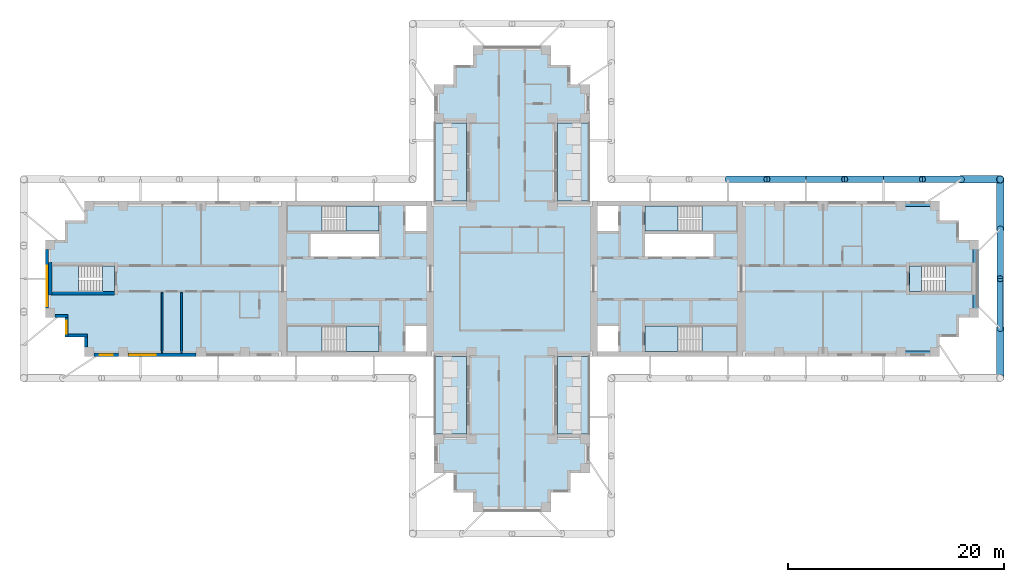
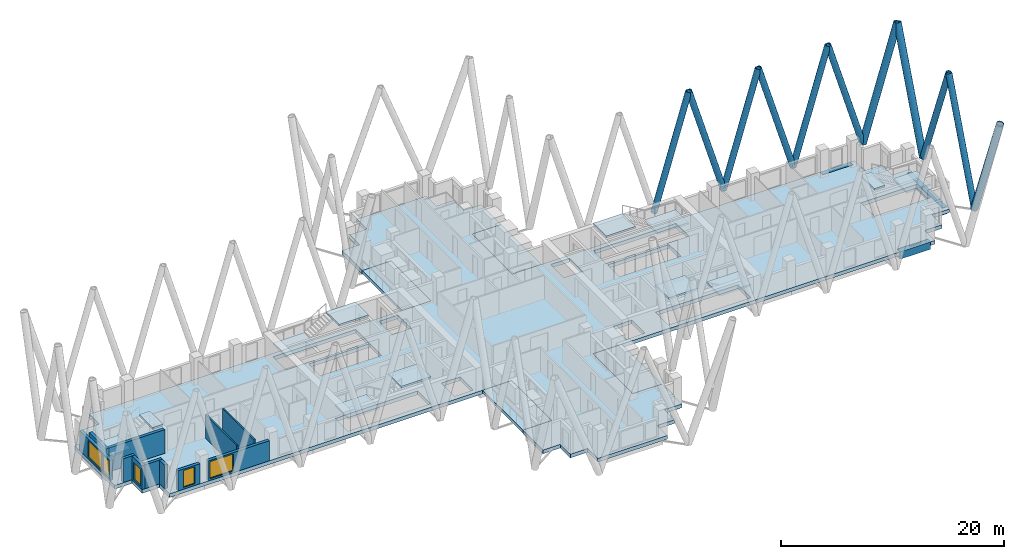
# One storey, part 2 of 12: 17 slabs, 11 members, 11 walls, 5 windows, 3 beams, 5 openings, 6 elements without a shape of their own.
"""IFC4 building model written with IfcOpenShell, lengths in metres."""

from ifc_helpers import new_model, si_unit, direction, frame, frame_2d, origin, origin_2d, place, context, subcontext, project, spatial, polyline, rectangle, hollow_circle, outline, extrude, material, layer, layer_set, material_profile, profile_set, type_object, element, fill, aggregate, save


model = new_model("IFC4")

# Units and contexts
model_context = context("Model", 3, precision=1e-05, world=origin(), true_north=direction((0.0, 1.0)))
body_context = subcontext(model_context, "Body", "Model", "MODEL_VIEW")
ifc_project = project(units=[si_unit("LENGTHUNIT", "METRE"), si_unit("AREAUNIT", "SQUARE_METRE"), si_unit("VOLUMEUNIT", "CUBIC_METRE"), si_unit("PLANEANGLEUNIT", "RADIAN"), si_unit("MASSUNIT", "GRAM", prefix="KILO")], contexts=[model_context])

# Site, building, storey
site_placement = place(None, origin())
site = spatial("IfcSite", under=ifc_project, at=site_placement, CompositionType="ELEMENT")
building_placement = place(site_placement, origin())
building = spatial("IfcBuilding", under=site, at=building_placement, Name="Fustian Cross Tower", CompositionType="ELEMENT")
storey_placement = place(building_placement, frame((0.0, 0.0, 141.300048828125)))
storey = spatial("IfcBuildingStorey", under=building, at=storey_placement, Name="L44", CompositionType="ELEMENT", Elevation=141.300048828125)

# Members
ifc_material_1 = material(Name="Steel S355", Category="steel")
ifc_material_profile_1 = material_profile(ifc_material_1, hollow_circle(Radius=0.3046875, WallThickness=0.02490234375, at=origin_2d()), Name="CHS 610x25")
ifc_profile_set_1 = profile_set([ifc_material_profile_1], Name="Steel S355")
member_type_1 = type_object("IfcMemberType", Name="DIAGRID DIAGONAL CHS 610x25", PredefinedType="BRACE", material=ifc_profile_set_1)
for number, where, z_axis, x_axis, name in (
    (1, (45.199951171875, -4.60009765625, 0.0), (0.0, 0.3579426369, 0.933743577589), (-1.0, 0.0, 0.0), "Diagrid diagonal E-end 02"),
    (2, (45.199951171875, 4.60009765625, 0.0), (0.0, -0.3579426369, 0.933743577589), (1.0, 0.0, 0.0), "Diagrid diagonal E-end 03"),
):
    element("IfcMember", number, at=place(storey_placement, frame(where, z_axis=z_axis, x_axis=x_axis)), inside=storey, type_object=member_type_1, Name=name, PredefinedType="BRACE", context=body_context, shape_type="SweptSolid", body=[
        extrude(hollow_circle(Radius=0.3046875, WallThickness=0.02490234375, at=origin_2d()), origin(), (0.0, 0.0, 1.0), 12.8515625),
    ])
for number, where, z_axis, x_axis, name in (
    (3, (41.60009765625, 9.199951171875, 0.0), (-0.287355036744, 0.0, 0.957824139839), (0.0, -1.0, 0.0), "Diagrid diagonal E-N 02"),
    (4, (34.39990234375, 9.199951171875, 0.0), (0.287355036744, 0.0, 0.957824139839), (0.0, 1.0, 0.0), "Diagrid diagonal E-N 03"),
    (5, (34.39990234375, 9.199951171875, 0.0), (-0.287337158709, 0.0, 0.957829503213), (0.0, -1.0, 0.0), "Diagrid diagonal E-N 04"),
    (6, (27.199951171875, 9.199951171875, 0.0), (0.287355036744, 0.0, 0.957824139839), (0.0, 1.0, 0.0), "Diagrid diagonal E-N 05"),
    (7, (27.199951171875, 9.199951171875, 0.0), (-0.287337158709, 0.0, 0.957829503213), (0.0, -1.0, 0.0), "Diagrid diagonal E-N 06"),
    (8, (20.0, 9.199951171875, 0.0), (0.287355036744, 0.0, 0.957824139839), (0.0, 1.0, 0.0), "Diagrid diagonal E-N 07"),
):
    element("IfcMember", number, at=place(storey_placement, frame(where, z_axis=z_axis, x_axis=x_axis)), inside=storey, type_object=member_type_1, Name=name, PredefinedType="BRACE", context=body_context, shape_type="SweptSolid", body=[
        extrude(hollow_circle(Radius=0.3046875, WallThickness=0.02490234375, at=origin_2d()), origin(), (0.0, 0.0, 1.0), 12.5283203125),
    ])
ifc_material_2 = material(Name="Steel S355", Category="steel")
ifc_material_profile_2 = material_profile(ifc_material_2, hollow_circle(Radius=0.355712890625, WallThickness=0.031982421875, at=origin_2d()), Name="CHS 711x32")
ifc_profile_set_2 = profile_set([ifc_material_profile_2], Name="Steel S355")
member_type_2 = type_object("IfcMemberType", Name="DIAGRID DIAGONAL CHS 711x32", PredefinedType="BRACE", material=ifc_profile_set_2)
for number, where, z_axis, x_axis, name in (
    (9, (45.199951171875, -4.60009765625, 0.0), (0.0, -0.357926073629, 0.933749926809), (1.0, 0.0, 0.0), "Diagrid diagonal E-end 01"),
    (10, (45.199951171875, 4.60009765625, 0.0), (0.0, 0.357926073629, 0.933749926809), (-1.0, 0.0, 0.0), "Diagrid diagonal E-end 04"),
):
    element("IfcMember", number, at=place(storey_placement, frame(where, z_axis=z_axis, x_axis=x_axis)), inside=storey, type_object=member_type_2, Name=name, PredefinedType="BRACE", context=body_context, shape_type="SweptSolid", body=[
        extrude(hollow_circle(Radius=0.355712890625, WallThickness=0.031982421875, at=origin_2d()), origin(), (0.0, 0.0, 1.0), 12.851318359375),
    ])
member_placement = place(storey_placement, frame((41.60009765625, 9.199951171875, 0.0), z_axis=(0.287337158709, 0.0, 0.957829503213), x_axis=(0.0, 1.0, 0.0)))
element("IfcMember", 11, at=member_placement, inside=storey, type_object=member_type_2, Name="Diagrid diagonal E-N 01", PredefinedType="BRACE", context=body_context, shape_type="SweptSolid", body=[
    extrude(hollow_circle(Radius=0.355712890625, WallThickness=0.031982421875, at=origin_2d()), origin(), (0.0, 0.0, 1.0), 12.5283203125),
])

# Beams
ifc_material_3 = material(Name="Concrete C50/60", Category="concrete")
ifc_material_profile_3 = material_profile(ifc_material_3, rectangle(XDim=0.5, YDim=0.800048828125, at=origin_2d()), Name="RC 500x800")
ifc_profile_set_3 = profile_set([ifc_material_profile_3], Name="Concrete C50/60")
beam_type = type_object("IfcBeamType", Name="EDGE BEAM RC 500x800 C50/60", PredefinedType="SPANDREL", material=ifc_profile_set_3)
beam_1_placement = place(storey_placement, frame((36.0, -6.949951171875, -0.400146484375), z_axis=(1.0, 0.0, 0.0), x_axis=(0.0, 1.0, 0.0)))
element("IfcBeam", 12, at=beam_1_placement, inside=storey, type_object=beam_type, Name="EDGE BEAM L44-04", PredefinedType="SPANDREL", context=body_context, shape_type="SweptSolid", body=[
    extrude(rectangle(XDim=0.5, YDim=0.800048828125, at=origin_2d()), origin(), (0.0, 0.0, 1.0), 3.14990234375),
])
beam_2_placement = place(storey_placement, frame((42.949951171875, -3.14990234375, -0.400146484375), z_axis=(0.0, 1.0, 0.0), x_axis=(-1.0, 0.0, 0.0)))
element("IfcBeam", 13, at=beam_2_placement, inside=storey, type_object=beam_type, Name="EDGE BEAM L44-05", PredefinedType="SPANDREL", context=body_context, shape_type="SweptSolid", body=[
    extrude(rectangle(XDim=0.5, YDim=0.800048828125, at=origin_2d()), origin(), (0.0, 0.0, 1.0), 6.2998046875),
])
beam_3_placement = place(storey_placement, frame((39.14990234375, 6.949951171875, -0.400146484375), z_axis=(-1.0, 0.0, 0.0), x_axis=(0.0, -1.0, 0.0)))
element("IfcBeam", 14, at=beam_3_placement, inside=storey, type_object=beam_type, Name="EDGE BEAM L44-06", PredefinedType="SPANDREL", context=body_context, shape_type="SweptSolid", body=[
    extrude(rectangle(XDim=0.5, YDim=0.800048828125, at=origin_2d()), origin(), (0.0, 0.0, 1.0), 3.14990234375),
])

# Slabs
ifc_material_4 = material(Name="Concrete C40/50", Category="concrete")
ifc_layer_1 = layer(ifc_material_4, 0.300048828125)
ifc_layer_set_1 = layer_set([ifc_layer_1], Name="Concrete C40/50")
slab_type_1 = type_object("IfcSlabType", Name="BS1 BALCONY SLAB 300", PredefinedType="FLOOR", material=ifc_layer_set_1)
slab_1_placement = place(storey_placement, frame((0.0, 0.0, -0.300048828125)))
element("IfcSlab", 15, at=slab_1_placement, inside=storey, type_object=slab_type_1, Name="Balcony slab", PredefinedType="FLOOR", context=body_context, shape_type="SweptSolid", body=[
    extrude(outline(polyline([(4.199951171875, 7.199951171875), (7.199951171875, 7.199951171875), (7.199951171875, 14.39990234375), (4.199951171875, 14.39990234375), (4.199951171875, 7.199951171875)])), origin(), (0.0, 0.0, 1.0), 0.300048828125),
])
slab_2_placement = place(storey_placement, frame((0.0, 0.0, -0.300048828125)))
element("IfcSlab", 16, at=slab_2_placement, inside=storey, type_object=slab_type_1, Name="Balcony slab", PredefinedType="FLOOR", context=body_context, shape_type="SweptSolid", body=[
    extrude(outline(polyline([(-7.199951171875, 7.199951171875), (-4.199951171875, 7.199951171875), (-4.199951171875, 14.39990234375), (-7.199951171875, 14.39990234375), (-7.199951171875, 7.199951171875)])), origin(), (0.0, 0.0, 1.0), 0.300048828125),
])
slab_3_placement = place(storey_placement, frame((0.0, 0.0, -0.300048828125)))
element("IfcSlab", 17, at=slab_3_placement, inside=storey, type_object=slab_type_1, Name="Balcony slab", PredefinedType="FLOOR", context=body_context, shape_type="SweptSolid", body=[
    extrude(outline(polyline([(4.199951171875, -14.39990234375), (7.199951171875, -14.39990234375), (7.199951171875, -7.199951171875), (4.199951171875, -7.199951171875), (4.199951171875, -14.39990234375)])), origin(), (0.0, 0.0, 1.0), 0.300048828125),
])
slab_4_placement = place(storey_placement, frame((0.0, 0.0, -0.300048828125)))
element("IfcSlab", 18, at=slab_4_placement, inside=storey, type_object=slab_type_1, Name="Balcony slab", PredefinedType="FLOOR", context=body_context, shape_type="SweptSolid", body=[
    extrude(outline(polyline([(-7.199951171875, -14.39990234375), (-4.199951171875, -14.39990234375), (-4.199951171875, -7.199951171875), (-7.199951171875, -7.199951171875), (-7.199951171875, -14.39990234375)])), origin(), (0.0, 0.0, 1.0), 0.300048828125),
])
ifc_material_5 = material(Name="Concrete C40/50", Category="concrete")
ifc_layer_2 = layer(ifc_material_5, 0.39990234375)
ifc_layer_set_2 = layer_set([ifc_layer_2], Name="Concrete C40/50")
slab_type_2 = type_object("IfcSlabType", Name="FLAT SLAB 400", PredefinedType="FLOOR", material=ifc_layer_set_2)
slab_5_placement = place(storey_placement, frame((0.0, 0.0, -0.400146484375)))
element("IfcSlab", 19, at=slab_5_placement, inside=storey, type_object=slab_type_2, Name="FLOOR SLAB L44-1", PredefinedType="FLOOR", context=body_context, shape_type="SweptSolid", body=[
    extrude(outline(polyline([(-5.39990234375, -18.0), (-7.199951171875, -18.0), (-7.199951171875, -14.39990234375), (-4.199951171875, -14.39990234375), (-4.199951171875, -7.199951171875), (-39.60009765625, -7.199951171875), (-39.60009765625, -5.39990234375), (-41.39990234375, -5.39990234375), (-41.39990234375, -3.60009765625), (-43.199951171875, -3.60009765625), (-43.199951171875, 3.60009765625), (-41.39990234375, 3.60009765625), (-41.39990234375, 5.39990234375), (-39.60009765625, 5.39990234375), (-39.60009765625, 7.199951171875), (-4.199951171875, 7.199951171875), (-4.199951171875, 14.39990234375), (-7.199951171875, 14.39990234375), (-7.199951171875, 18.0), (-5.39990234375, 18.0), (-5.39990234375, 19.800048828125), (-3.60009765625, 19.800048828125), (-3.60009765625, 21.60009765625), (3.60009765625, 21.60009765625), (3.60009765625, 19.800048828125), (5.39990234375, 19.800048828125), (5.39990234375, 18.0), (7.199951171875, 18.0), (7.199951171875, 14.39990234375), (4.199951171875, 14.39990234375), (4.199951171875, 7.199951171875), (39.60009765625, 7.199951171875), (39.60009765625, 5.39990234375), (41.39990234375, 5.39990234375), (41.39990234375, 3.60009765625), (43.199951171875, 3.60009765625), (43.199951171875, -3.60009765625), (41.39990234375, -3.60009765625), (41.39990234375, -5.39990234375), (39.60009765625, -5.39990234375), (39.60009765625, -7.199951171875), (4.199951171875, -7.199951171875), (4.199951171875, -14.39990234375), (7.199951171875, -14.39990234375), (7.199951171875, -18.0), (5.39990234375, -18.0), (5.39990234375, -19.800048828125), (3.60009765625, -19.800048828125), (3.60009765625, -21.60009765625), (-3.60009765625, -21.60009765625), (-3.60009765625, -19.800048828125), (-5.39990234375, -19.800048828125), (-5.39990234375, -18.0)]), holes=[polyline([(9.85009765625, 4.39990234375), (9.85009765625, 6.75), (7.89990234375, 6.75), (7.89990234375, 4.39990234375), (9.85009765625, 4.39990234375)]), polyline([(7.89990234375, -6.75), (9.85009765625, -6.75), (9.85009765625, -4.39990234375), (7.89990234375, -4.39990234375), (7.89990234375, -6.75)]), polyline([(-9.85009765625, 6.75), (-9.85009765625, 4.39990234375), (-7.89990234375, 4.39990234375), (-7.89990234375, 6.75), (-9.85009765625, 6.75)]), polyline([(-7.89990234375, -4.39990234375), (-9.85009765625, -4.39990234375), (-9.85009765625, -6.75), (-7.89990234375, -6.75), (-7.89990234375, -4.39990234375)]), polyline([(18.64990234375, 2.050048828125), (18.64990234375, 4.14990234375), (12.300048828125, 4.14990234375), (12.300048828125, 2.050048828125), (18.64990234375, 2.050048828125)]), polyline([(-18.64990234375, 2.050048828125), (-12.300048828125, 2.050048828125), (-12.300048828125, 4.14990234375), (-18.64990234375, 4.14990234375), (-18.64990234375, 2.050048828125)]), polyline([(12.300048828125, 6.699951171875), (12.300048828125, 4.39990234375), (20.85009765625, 4.39990234375), (20.85009765625, 6.699951171875), (12.300048828125, 6.699951171875)]), polyline([(20.85009765625, -4.39990234375), (12.300048828125, -4.39990234375), (12.300048828125, -6.699951171875), (20.85009765625, -6.699951171875), (20.85009765625, -4.39990234375)]), polyline([(-12.300048828125, 4.39990234375), (-12.300048828125, 6.699951171875), (-20.85009765625, 6.699951171875), (-20.85009765625, 4.39990234375), (-12.300048828125, 4.39990234375)]), polyline([(-20.85009765625, -6.699951171875), (-12.300048828125, -6.699951171875), (-12.300048828125, -4.39990234375), (-20.85009765625, -4.39990234375), (-20.85009765625, -6.699951171875)]), polyline([(36.800048828125, 1.199951171875), (36.800048828125, -1.199951171875), (42.60009765625, -1.199951171875), (42.60009765625, 1.199951171875), (36.800048828125, 1.199951171875)]), polyline([(-36.800048828125, 1.199951171875), (-42.60009765625, 1.199951171875), (-42.60009765625, -1.199951171875), (-36.800048828125, -1.199951171875), (-36.800048828125, 1.199951171875)])]), origin(), (0.0, 0.0, 1.0), 0.400146484375),
])

# Stair, slabs
ifc_material_6 = material(Name="Concrete C50/60", Category="concrete")
stair_type_1 = type_object("IfcStairType", Name="STAIR 1150 HALF TURN", PredefinedType="HALF_TURN_STAIR", material=ifc_material_6)
stair_1_placement = place(storey_placement, origin())
stair_1 = element("IfcStair", 20, at=stair_1_placement, inside=storey, type_object=stair_type_1, Name="Stair ST1", PredefinedType="HALF_TURN_STAIR")
ifc_material_7 = material(Name="Concrete C50/60", Category="concrete")
ifc_layer_3 = layer(ifc_material_7, 0.199951171875)
ifc_layer_set_3 = layer_set([ifc_layer_3], Name="Concrete C50/60")
slab_type_3 = type_object("IfcSlabType", Name="STAIR LANDING", PredefinedType="LANDING", material=ifc_layer_set_3)
slab_6_placement = place(storey_placement, frame((0.0, 0.0, 1.300048828125)))
slab_6 = element("IfcSlab", 21, at=slab_6_placement, type_object=slab_type_3, Name="ST1 landing 1", PredefinedType="LANDING", context=body_context, shape_type="SweptSolid", body=[
    extrude(outline(polyline([(17.590087890625, 4.39990234375), (20.85009765625, 4.39990234375), (20.85009765625, 6.75), (17.590087890625, 6.75), (17.590087890625, 4.39990234375)])), origin(), (0.0, 0.0, 1.0), 0.199951171875),
])
slab_7_placement = place(storey_placement, frame((0.0, 0.0, 2.800048828125)))
slab_7 = element("IfcSlab", 22, at=slab_7_placement, type_object=slab_type_3, Name="ST1 landing 2", PredefinedType="LANDING", context=body_context, shape_type="SweptSolid", body=[
    extrude(outline(polyline([(12.300048828125, 4.39990234375), (15.35009765625, 4.39990234375), (15.35009765625, 6.75), (12.300048828125, 6.75), (12.300048828125, 4.39990234375)])), origin(), (0.0, 0.0, 1.0), 0.199951171875),
])
aggregate(stair_1, [slab_6, slab_7])

stair_2_placement = place(storey_placement, origin())
stair_2 = element("IfcStair", 23, at=stair_2_placement, inside=storey, type_object=stair_type_1, Name="Stair ST2", PredefinedType="HALF_TURN_STAIR")
slab_8_placement = place(storey_placement, frame((0.0, 0.0, 1.300048828125)))
slab_8 = element("IfcSlab", 24, at=slab_8_placement, type_object=slab_type_3, Name="ST2 landing 1", PredefinedType="LANDING", context=body_context, shape_type="SweptSolid", body=[
    extrude(outline(polyline([(17.590087890625, -4.39990234375), (20.85009765625, -4.39990234375), (20.85009765625, -6.75), (17.590087890625, -6.75), (17.590087890625, -4.39990234375)])), origin(), (0.0, 0.0, 1.0), 0.199951171875),
])
slab_9_placement = place(storey_placement, frame((0.0, 0.0, 2.800048828125)))
slab_9 = element("IfcSlab", 25, at=slab_9_placement, type_object=slab_type_3, Name="ST2 landing 2", PredefinedType="LANDING", context=body_context, shape_type="SweptSolid", body=[
    extrude(outline(polyline([(12.300048828125, -4.39990234375), (15.35009765625, -4.39990234375), (15.35009765625, -6.75), (12.300048828125, -6.75), (12.300048828125, -4.39990234375)])), origin(), (0.0, 0.0, 1.0), 0.199951171875),
])
aggregate(stair_2, [slab_8, slab_9])

stair_3_placement = place(storey_placement, origin())
stair_3 = element("IfcStair", 26, at=stair_3_placement, inside=storey, type_object=stair_type_1, Name="Stair ST3", PredefinedType="HALF_TURN_STAIR")
slab_10_placement = place(storey_placement, frame((0.0, 0.0, 1.300048828125)))
slab_10 = element("IfcSlab", 27, at=slab_10_placement, type_object=slab_type_3, Name="ST3 landing 1", PredefinedType="LANDING", context=body_context, shape_type="SweptSolid", body=[
    extrude(outline(polyline([(-17.590087890625, 4.39990234375), (-20.85009765625, 4.39990234375), (-20.85009765625, 6.75), (-17.590087890625, 6.75), (-17.590087890625, 4.39990234375)])), origin(), (0.0, 0.0, 1.0), 0.199951171875),
])
slab_11_placement = place(storey_placement, frame((0.0, 0.0, 2.800048828125)))
slab_11 = element("IfcSlab", 28, at=slab_11_placement, type_object=slab_type_3, Name="ST3 landing 2", PredefinedType="LANDING", context=body_context, shape_type="SweptSolid", body=[
    extrude(outline(polyline([(-12.300048828125, 4.39990234375), (-15.35009765625, 4.39990234375), (-15.35009765625, 6.75), (-12.300048828125, 6.75), (-12.300048828125, 4.39990234375)])), origin(), (0.0, 0.0, 1.0), 0.199951171875),
])
aggregate(stair_3, [slab_10, slab_11])

stair_4_placement = place(storey_placement, origin())
stair_4 = element("IfcStair", 29, at=stair_4_placement, inside=storey, type_object=stair_type_1, Name="Stair ST4", PredefinedType="HALF_TURN_STAIR")
slab_12_placement = place(storey_placement, frame((0.0, 0.0, 1.300048828125)))
slab_12 = element("IfcSlab", 30, at=slab_12_placement, type_object=slab_type_3, Name="ST4 landing 1", PredefinedType="LANDING", context=body_context, shape_type="SweptSolid", body=[
    extrude(outline(polyline([(-17.590087890625, -4.39990234375), (-20.85009765625, -4.39990234375), (-20.85009765625, -6.75), (-17.590087890625, -6.75), (-17.590087890625, -4.39990234375)])), origin(), (0.0, 0.0, 1.0), 0.199951171875),
])
slab_13_placement = place(storey_placement, frame((0.0, 0.0, 2.800048828125)))
slab_13 = element("IfcSlab", 31, at=slab_13_placement, type_object=slab_type_3, Name="ST4 landing 2", PredefinedType="LANDING", context=body_context, shape_type="SweptSolid", body=[
    extrude(outline(polyline([(-12.300048828125, -4.39990234375), (-15.35009765625, -4.39990234375), (-15.35009765625, -6.75), (-12.300048828125, -6.75), (-12.300048828125, -4.39990234375)])), origin(), (0.0, 0.0, 1.0), 0.199951171875),
])
aggregate(stair_4, [slab_12, slab_13])

ifc_material_8 = material(Name="Concrete C50/60", Category="concrete")
stair_type_2 = type_object("IfcStairType", Name="STAIR 1100 HALF TURN", PredefinedType="HALF_TURN_STAIR", material=ifc_material_8)
stair_5_placement = place(storey_placement, origin())
stair_5 = element("IfcStair", 32, at=stair_5_placement, inside=storey, type_object=stair_type_2, Name="Stair ST8", PredefinedType="HALF_TURN_STAIR")
slab_14_placement = place(storey_placement, frame((0.0, 0.0, 1.300048828125)))
slab_14 = element("IfcSlab", 33, at=slab_14_placement, type_object=slab_type_3, Name="ST8 landing 1", PredefinedType="LANDING", context=body_context, shape_type="SweptSolid", body=[
    extrude(outline(polyline([(40.139892578125, -1.199951171875), (42.60009765625, -1.199951171875), (42.60009765625, 1.199951171875), (40.139892578125, 1.199951171875), (40.139892578125, -1.199951171875)])), origin(), (0.0, 0.0, 1.0), 0.199951171875),
])
slab_15_placement = place(storey_placement, frame((0.0, 0.0, 2.800048828125)))
slab_15 = element("IfcSlab", 34, at=slab_15_placement, type_object=slab_type_3, Name="ST8 landing 2", PredefinedType="LANDING", context=body_context, shape_type="SweptSolid", body=[
    extrude(outline(polyline([(36.800048828125, -1.199951171875), (37.89990234375, -1.199951171875), (37.89990234375, 1.199951171875), (36.800048828125, 1.199951171875), (36.800048828125, -1.199951171875)])), origin(), (0.0, 0.0, 1.0), 0.199951171875),
])
aggregate(stair_5, [slab_14, slab_15])

stair_6_placement = place(storey_placement, origin())
stair_6 = element("IfcStair", 35, at=stair_6_placement, inside=storey, type_object=stair_type_2, Name="Stair ST9", PredefinedType="HALF_TURN_STAIR")
slab_16_placement = place(storey_placement, frame((0.0, 0.0, 1.300048828125)))
slab_16 = element("IfcSlab", 36, at=slab_16_placement, type_object=slab_type_3, Name="ST9 landing 1", PredefinedType="LANDING", context=body_context, shape_type="SweptSolid", body=[
    extrude(outline(polyline([(-40.139892578125, -1.199951171875), (-42.60009765625, -1.199951171875), (-42.60009765625, 1.199951171875), (-40.139892578125, 1.199951171875), (-40.139892578125, -1.199951171875)])), origin(), (0.0, 0.0, 1.0), 0.199951171875),
])
slab_17_placement = place(storey_placement, frame((0.0, 0.0, 2.800048828125)))
slab_17 = element("IfcSlab", 37, at=slab_17_placement, type_object=slab_type_3, Name="ST9 landing 2", PredefinedType="LANDING", context=body_context, shape_type="SweptSolid", body=[
    extrude(outline(polyline([(-36.800048828125, -1.199951171875), (-37.89990234375, -1.199951171875), (-37.89990234375, 1.199951171875), (-36.800048828125, 1.199951171875), (-36.800048828125, -1.199951171875)])), origin(), (0.0, 0.0, 1.0), 0.199951171875),
])
aggregate(stair_6, [slab_16, slab_17])

# Walls
ifc_material_9 = material(Name="Plasterboard on steel stud", Category="steel")
ifc_layer_4 = layer(ifc_material_9, 0.14990234375)
ifc_layer_set_4 = layer_set([ifc_layer_4], Name="Plasterboard on steel stud")
wall_type_1 = type_object("IfcWallType", Name="COMPARTMENT WALL 150 EI 60", PredefinedType="PARTITIONING", material=ifc_layer_set_4)
for number, where, z_axis, x_axis, name in (
    (38, (-32.39990234375, -6.89990234375, 0.0), (0.0, 0.0, 1.0), (0.0, 1.0, 0.0), "Partition 3"),
    (39, (-30.60009765625, -6.89990234375, 0.0), (0.0, 0.0, 1.0), (0.0, 1.0, 0.0), "Partition 5"),
):
    element("IfcWall", number, at=place(storey_placement, frame(where, z_axis=z_axis, x_axis=x_axis)), inside=storey, type_object=wall_type_1, Name=name, PredefinedType="PARTITIONING", context=body_context, shape_type="SweptSolid", body=[
        extrude(rectangle(XDim=5.625, YDim=0.14990234375, at=frame_2d((2.8125, 0.0))), origin(), (0.0, 0.0, 1.0), 2.599853515625),
    ])
ifc_material_10 = material(Name="Concrete C50/60", Category="concrete")
ifc_layer_5 = layer(ifc_material_10, 0.300048828125)
ifc_layer_set_5 = layer_set([ifc_layer_5], Name="Concrete C50/60")
wall_type_2 = type_object("IfcWallType", Name="STAIR ENCLOSURE WALL 300 C50/60", PredefinedType="SHEAR", material=ifc_layer_set_5)
wall_1_placement = place(storey_placement, frame((-42.75, -1.5, 0.0), z_axis=(0.0, 0.0, 1.0), x_axis=(0.0, 1.0, 0.0)))
element("IfcWall", 40, at=wall_1_placement, inside=storey, type_object=wall_type_2, Name="Stair enclosure wall", PredefinedType="SHEAR", context=body_context, shape_type="SweptSolid", body=[
    extrude(rectangle(XDim=3.0, YDim=0.300048828125, at=frame_2d((1.5, 0.0))), origin(), (0.0, 0.0, 1.0), 2.599853515625),
])
wall_2_placement = place(storey_placement, frame((-36.800048828125, -1.35009765625, 0.0), z_axis=(0.0, 0.0, 1.0), x_axis=(-1.0, 0.0, 0.0)))
element("IfcWall", 41, at=wall_2_placement, inside=storey, type_object=wall_type_2, Name="Stair enclosure wall", PredefinedType="SHEAR", context=body_context, shape_type="SweptSolid", body=[
    extrude(rectangle(XDim=5.800048828125, YDim=0.300048828125, at=frame_2d((2.89990234375, 0.0))), origin(), (0.0, 0.0, 1.0), 2.599853515625),
])

# Wall, openings, windows
ifc_material_11 = material(Name="Dark aluminium cladding on insulated backing wall", Category="aluminium")
ifc_layer_6 = layer(ifc_material_11, 0.300048828125)
ifc_layer_set_6 = layer_set([ifc_layer_6], Name="Dark aluminium cladding on insulated backing wall")
wall_type_3 = type_object("IfcWallType", Name="XW1 EXTERNAL WALL 300", PredefinedType="SOLIDWALL", material=ifc_layer_set_6)
wall_3_placement = place(storey_placement, frame((-43.050048828125, 2.699951171875, 0.0), z_axis=(0.0, 0.0, 1.0), x_axis=(0.0, -1.0, 0.0)))
wall_3 = element("IfcWall", 42, at=wall_3_placement, inside=storey, type_object=wall_type_3, Name="External wall", PredefinedType="SOLIDWALL", context=body_context, shape_type="SweptSolid", body=[
    extrude(rectangle(XDim=5.39990234375, YDim=0.300048828125, at=frame_2d((2.699951171875, 0.0))), origin(), (0.0, 0.0, 1.0), 2.199951171875),
])
opening_1_placement = place(wall_3_placement, frame((1.5, 0.0, 0.199951171875)))
opening_1 = element("IfcOpeningElement", 43, at=opening_1_placement, cuts=wall_3, Name="Opening WN1", PredefinedType="OPENING", context=body_context, shape_type="SweptSolid", body=[
    extrude(rectangle(XDim=2.39990234375, YDim=1.85009765625, at=frame_2d((1.199951171875, 0.925048828125))), frame((0.0, 0.159912109375, 0.0), z_axis=(0.0, -1.0, 0.0), x_axis=(1.0, 0.0, 0.0)), (0.0, 0.0, 1.0), 0.320068359375),
])
opening_2_placement = place(wall_3_placement, frame((4.050048828125, 0.0, 0.199951171875)))
opening_2 = element("IfcOpeningElement", 44, at=opening_2_placement, cuts=wall_3, Name="Opening WN3", PredefinedType="OPENING", context=body_context, shape_type="SweptSolid", body=[
    extrude(rectangle(XDim=1.199951171875, YDim=1.85009765625, at=frame_2d((0.60009765625, 0.925048828125))), frame((0.0, 0.159912109375, 0.0), z_axis=(0.0, -1.0, 0.0), x_axis=(1.0, 0.0, 0.0)), (0.0, 0.0, 1.0), 0.320068359375),
])
ifc_material_12 = material(Name="Dark anodised aluminium and double glazing", Category="aluminium")
window_type_1 = type_object("IfcWindowType", Name="WN1 WINDOW 2400X1850", PartitioningType="SINGLE_PANEL", PredefinedType="WINDOW", material=ifc_material_12)
window_1_placement = place(opening_1_placement, origin())
window_1 = element("IfcWindow", 45, at=window_1_placement, inside=storey, type_object=window_type_1, Name="Window", OverallHeight=1.85009765625, OverallWidth=2.39990234375, PartitioningType="SINGLE_PANEL", PredefinedType="WINDOW", context=body_context, shape_type="SweptSolid", body=[
    extrude(rectangle(XDim=2.39990234375, YDim=1.85009765625, at=frame_2d((1.199951171875, 0.925048828125))), frame((0.0, 0.030029296875, 0.0), z_axis=(0.0, -1.0, 0.0), x_axis=(1.0, 0.0, 0.0)), (0.0, 0.0, 1.0), 0.06005859375),
])
fill(opening_1, window_1)
ifc_material_13 = material(Name="Dark anodised aluminium and double glazing", Category="aluminium")
window_type_2 = type_object("IfcWindowType", Name="WN3 WINDOW 1200X1850", PartitioningType="SINGLE_PANEL", PredefinedType="WINDOW", material=ifc_material_13)
window_2_placement = place(opening_2_placement, origin())
window_2 = element("IfcWindow", 46, at=window_2_placement, inside=storey, type_object=window_type_2, Name="Window", OverallHeight=1.85009765625, OverallWidth=1.199951171875, PartitioningType="SINGLE_PANEL", PredefinedType="WINDOW", context=body_context, shape_type="SweptSolid", body=[
    extrude(rectangle(XDim=1.199951171875, YDim=1.85009765625, at=frame_2d((0.60009765625, 0.925048828125))), frame((0.0, 0.030029296875, 0.0), z_axis=(0.0, -1.0, 0.0), x_axis=(1.0, 0.0, 0.0)), (0.0, 0.0, 1.0), 0.06005859375),
])
fill(opening_2, window_2)

# Wall
wall_4_placement = place(storey_placement, frame((-42.300048828125, -3.449951171875, 0.0), z_axis=(0.0, 0.0, 1.0), x_axis=(1.0, 0.0, 0.0)))
element("IfcWall", 47, at=wall_4_placement, inside=storey, type_object=wall_type_3, Name="External wall", PredefinedType="SOLIDWALL", context=body_context, shape_type="SweptSolid", body=[
    extrude(rectangle(XDim=1.199951171875, YDim=0.300048828125, at=frame_2d((0.60009765625, 0.0))), origin(), (0.0, 0.0, 1.0), 2.599853515625),
])

# Wall, opening, window
wall_5_placement = place(storey_placement, frame((-41.25, -3.60009765625, 0.0), z_axis=(0.0, 0.0, 1.0), x_axis=(0.0, -1.0, 0.0)))
wall_5 = element("IfcWall", 48, at=wall_5_placement, inside=storey, type_object=wall_type_3, Name="External wall", PredefinedType="SOLIDWALL", context=body_context, shape_type="SweptSolid", body=[
    extrude(rectangle(XDim=1.7998046875, YDim=0.300048828125, at=frame_2d((0.89990234375, 0.0))), origin(), (0.0, 0.0, 1.0), 2.599853515625),
])
opening_3_placement = place(wall_5_placement, frame((0.300048828125, 0.0, 0.199951171875)))
opening_3 = element("IfcOpeningElement", 49, at=opening_3_placement, cuts=wall_5, Name="Opening WN3", PredefinedType="OPENING", context=body_context, shape_type="SweptSolid", body=[
    extrude(rectangle(XDim=1.199951171875, YDim=1.85009765625, at=frame_2d((0.60009765625, 0.925048828125))), frame((0.0, 0.159912109375, 0.0), z_axis=(0.0, -1.0, 0.0), x_axis=(1.0, 0.0, 0.0)), (0.0, 0.0, 1.0), 0.320068359375),
])
window_3_placement = place(opening_3_placement, origin())
window_3 = element("IfcWindow", 50, at=window_3_placement, inside=storey, type_object=window_type_2, Name="Window", OverallHeight=1.85009765625, OverallWidth=1.199951171875, PartitioningType="SINGLE_PANEL", PredefinedType="WINDOW", context=body_context, shape_type="SweptSolid", body=[
    extrude(rectangle(XDim=1.199951171875, YDim=1.85009765625, at=frame_2d((0.60009765625, 0.925048828125))), frame((0.0, 0.030029296875, 0.0), z_axis=(0.0, -1.0, 0.0), x_axis=(1.0, 0.0, 0.0)), (0.0, 0.0, 1.0), 0.06005859375),
])
fill(opening_3, window_3)

# Walls
wall_6_placement = place(storey_placement, frame((-41.10009765625, -5.25, 0.0), z_axis=(0.0, 0.0, 1.0), x_axis=(1.0, 0.0, 0.0)))
element("IfcWall", 51, at=wall_6_placement, inside=storey, type_object=wall_type_3, Name="External wall", PredefinedType="SOLIDWALL", context=body_context, shape_type="SweptSolid", body=[
    extrude(rectangle(XDim=1.800048828125, YDim=0.300048828125, at=frame_2d((0.89990234375, 0.0))), origin(), (0.0, 0.0, 1.0), 2.599853515625),
])
wall_7_placement = place(storey_placement, frame((-39.449951171875, -5.39990234375, 0.0), z_axis=(0.0, 0.0, 1.0), x_axis=(0.0, -1.0, 0.0)))
element("IfcWall", 52, at=wall_7_placement, inside=storey, type_object=wall_type_3, Name="External wall", PredefinedType="SOLIDWALL", context=body_context, shape_type="SweptSolid", body=[
    extrude(rectangle(XDim=0.900146484375, YDim=0.300048828125, at=frame_2d((0.4501953125, 0.0))), origin(), (0.0, 0.0, 1.0), 2.599853515625),
])

# Wall, opening, window
wall_8_placement = place(storey_placement, frame((-38.699951171875, -7.050048828125, 0.0), z_axis=(0.0, 0.0, 1.0), x_axis=(1.0, 0.0, 0.0)))
wall_8 = element("IfcWall", 53, at=wall_8_placement, inside=storey, type_object=wall_type_3, Name="External wall", PredefinedType="SOLIDWALL", context=body_context, shape_type="SweptSolid", body=[
    extrude(rectangle(XDim=2.25, YDim=0.300048828125, at=frame_2d((1.125, 0.0))), origin(), (0.0, 0.0, 1.0), 2.199951171875),
])
opening_4_placement = place(wall_8_placement, frame((0.52490234375, 0.0, 0.199951171875)))
opening_4 = element("IfcOpeningElement", 54, at=opening_4_placement, cuts=wall_8, Name="Opening WN3", PredefinedType="OPENING", context=body_context, shape_type="SweptSolid", body=[
    extrude(rectangle(XDim=1.199951171875, YDim=1.85009765625, at=frame_2d((0.60009765625, 0.925048828125))), frame((0.0, 0.159912109375, 0.0), z_axis=(0.0, -1.0, 0.0), x_axis=(1.0, 0.0, 0.0)), (0.0, 0.0, 1.0), 0.320068359375),
])
window_4_placement = place(opening_4_placement, origin())
window_4 = element("IfcWindow", 55, at=window_4_placement, inside=storey, type_object=window_type_2, Name="Window", OverallHeight=1.85009765625, OverallWidth=1.199951171875, PartitioningType="SINGLE_PANEL", PredefinedType="WINDOW", context=body_context, shape_type="SweptSolid", body=[
    extrude(rectangle(XDim=1.199951171875, YDim=1.85009765625, at=frame_2d((0.60009765625, 0.925048828125))), frame((0.0, 0.030029296875, 0.0), z_axis=(0.0, -1.0, 0.0), x_axis=(1.0, 0.0, 0.0)), (0.0, 0.0, 1.0), 0.06005859375),
])
fill(opening_4, window_4)

wall_9_placement = place(storey_placement, frame((-35.550048828125, -7.050048828125, 0.0), z_axis=(0.0, 0.0, 1.0), x_axis=(1.0, 0.0, 0.0)))
wall_9 = element("IfcWall", 56, at=wall_9_placement, inside=storey, type_object=wall_type_3, Name="External wall", PredefinedType="SOLIDWALL", context=body_context, shape_type="SweptSolid", body=[
    extrude(rectangle(XDim=6.300048828125, YDim=0.300048828125, at=frame_2d((3.14990234375, 0.0))), origin(), (0.0, 0.0, 1.0), 2.199951171875),
])
opening_5_placement = place(wall_9_placement, frame((0.14990234375, 0.0, 0.199951171875)))
opening_5 = element("IfcOpeningElement", 57, at=opening_5_placement, cuts=wall_9, Name="Opening WN1", PredefinedType="OPENING", context=body_context, shape_type="SweptSolid", body=[
    extrude(rectangle(XDim=2.39990234375, YDim=1.85009765625, at=frame_2d((1.199951171875, 0.925048828125))), frame((0.0, 0.159912109375, 0.0), z_axis=(0.0, -1.0, 0.0), x_axis=(1.0, 0.0, 0.0)), (0.0, 0.0, 1.0), 0.320068359375),
])
window_5_placement = place(opening_5_placement, origin())
window_5 = element("IfcWindow", 58, at=window_5_placement, inside=storey, type_object=window_type_1, Name="Window", OverallHeight=1.85009765625, OverallWidth=2.39990234375, PartitioningType="SINGLE_PANEL", PredefinedType="WINDOW", context=body_context, shape_type="SweptSolid", body=[
    extrude(rectangle(XDim=2.39990234375, YDim=1.85009765625, at=frame_2d((1.199951171875, 0.925048828125))), frame((0.0, 0.030029296875, 0.0), z_axis=(0.0, -1.0, 0.0), x_axis=(1.0, 0.0, 0.0)), (0.0, 0.0, 1.0), 0.06005859375),
])
fill(opening_5, window_5)

save(model, "model.ifc")
